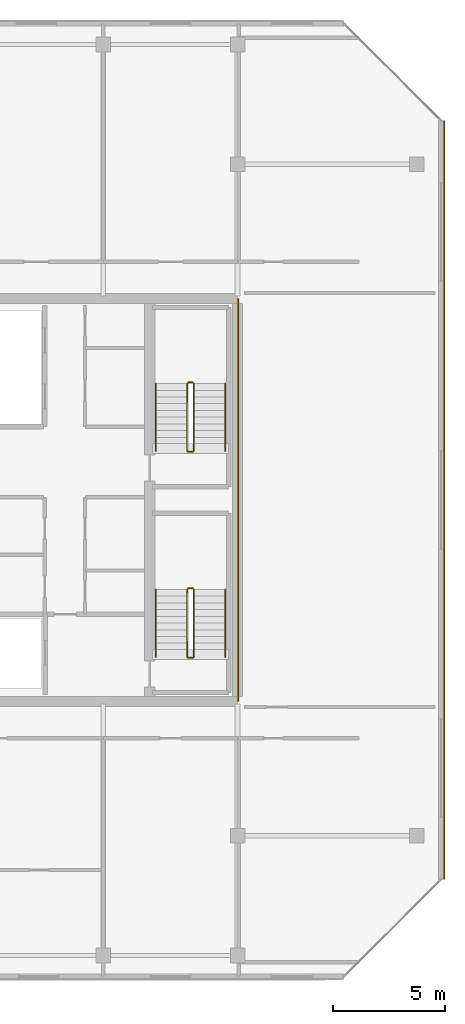
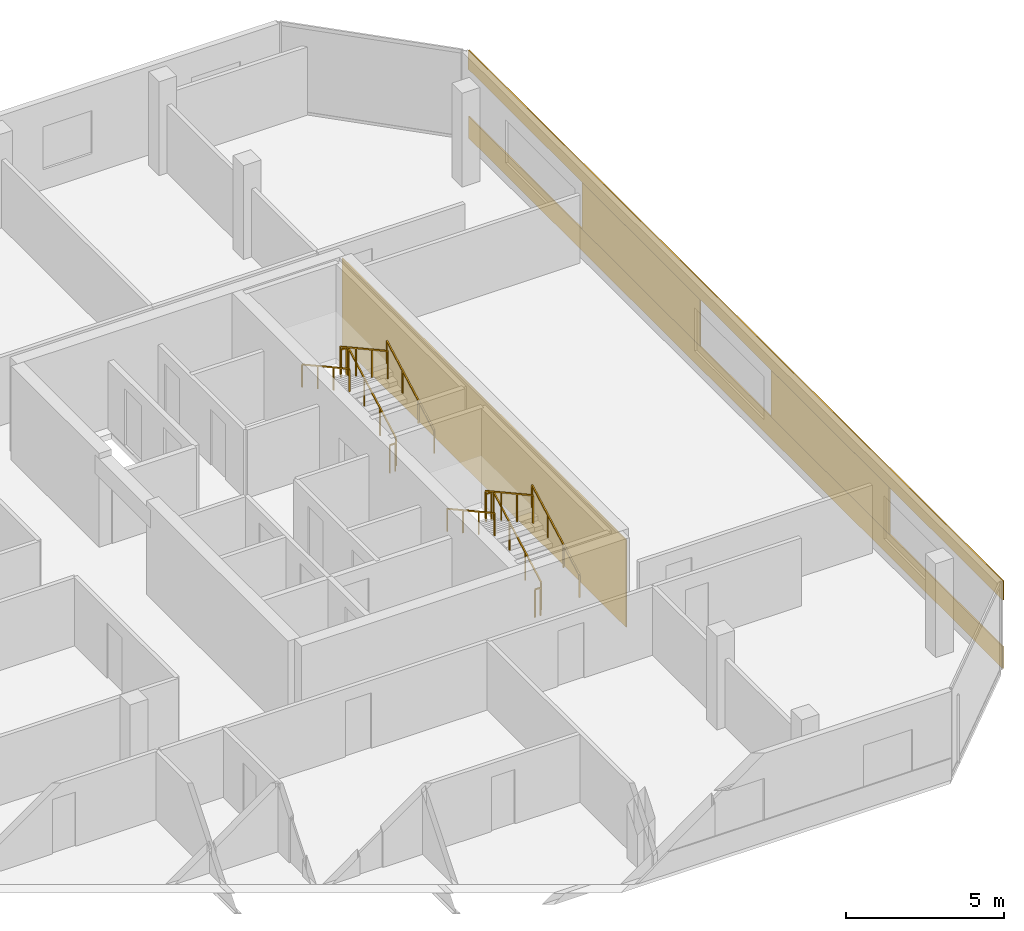
# One storey, part 28 of 28: 12 railings, 5 coverings.
"""IFC4 building model written with IfcOpenShell, lengths in metres."""

from ifc_helpers import new_model, si_unit, direction, frame, origin, origin_2d, place, context, subcontext, project, spatial, rectangle, extrude, material, layer, layer_set, type_object, element, save


model = new_model("IFC4")

# Units and contexts
model_context = context("Model", 3, precision=1e-05, world=origin(), true_north=direction((0.0, 1.0)))
body_context = subcontext(model_context, "Body", "Model", "MODEL_VIEW")
ifc_project = project(units=[si_unit("LENGTHUNIT", "METRE"), si_unit("AREAUNIT", "SQUARE_METRE"), si_unit("VOLUMEUNIT", "CUBIC_METRE"), si_unit("PLANEANGLEUNIT", "RADIAN"), si_unit("MASSUNIT", "GRAM", prefix="KILO")], contexts=[model_context])

# Site, building, storey
site_placement = place(None, origin())
site = spatial("IfcSite", under=ifc_project, at=site_placement, CompositionType="ELEMENT")
building_placement = place(site_placement, origin())
building = spatial("IfcBuilding", under=site, at=building_placement, Name="Tanjung Sevakor Pilgrim Tower", CompositionType="ELEMENT")
storey_placement = place(building_placement, frame((0.0, 0.0, 249.81005859375)))
storey = spatial("IfcBuildingStorey", under=building, at=storey_placement, Name="L70", CompositionType="ELEMENT", Elevation=249.81005859375)

# Coverings
ifc_material_1 = material(Name="Reconstructed Limestone Cladding", Category="masonry")
ifc_layer = layer(ifc_material_1, 0.044921875)
ifc_layer_set = layer_set([ifc_layer], Name="COV-CLAD-LIMESTONE")
covering_type = type_object("IfcCoveringType", Name="COV-CLAD-LIMESTONE", PredefinedType="CLADDING", material=ifc_layer_set)
covering_1_placement = place(storey_placement, frame((99.222412109375, 33.60009765625, 0.009765625), z_axis=(0.0, 0.0, 1.0), x_axis=(0.0, 1.0, 0.0)))
element("IfcCovering", 1, at=covering_1_placement, inside=storey, type_object=covering_type, Name="L70 Warm Limestone Sill Spandrel EW-L70-EAST-3-1", PredefinedType="CLADDING", context=body_context, shape_type="SweptSolid", body=[
    extrude(rectangle(XDim=33.828857421875, YDim=0.044921875, at=origin_2d()), origin(), (0.0, 0.0, 1.0), 0.840087890625),
])
covering_2_placement = place(storey_placement, frame((99.222412109375, 33.60009765625, 2.66015625), z_axis=(0.0, 0.0, 1.0), x_axis=(0.0, 1.0, 0.0)))
element("IfcCovering", 2, at=covering_2_placement, inside=storey, type_object=covering_type, Name="L70 Warm Limestone Cornice Spandrel EW-L70-EAST-3", PredefinedType="CLADDING", context=body_context, shape_type="SweptSolid", body=[
    extrude(rectangle(XDim=33.868896484375, YDim=0.044921875, at=origin_2d()), origin(), (0.0, 0.0, 1.0), 0.739990234375),
])
for number, where, z_axis, x_axis, name in (
    (3, (99.222412109375, 27.60888671875, 0.849853515625), (0.0, 0.0, 1.0), (0.0, 1.0, 0.0), "L70 Warm Limestone Pier Panel EW-L70-EAST-3-1"),
    (4, (99.222412109375, 39.591064453125, 0.849853515625), (0.0, 0.0, 1.0), (0.0, 1.0, 0.0), "L70 Warm Limestone Pier Panel EW-L70-EAST-3-2"),
):
    element("IfcCovering", number, at=place(storey_placement, frame(where, z_axis=z_axis, x_axis=x_axis)), inside=storey, type_object=covering_type, Name=name, PredefinedType="CLADDING", context=body_context, shape_type="SweptSolid", body=[
        extrude(rectangle(XDim=7.482177734375, YDim=0.044921875, at=origin_2d()), origin(), (0.0, 0.0, 1.0), 1.81005859375),
    ])
covering_3_placement = place(storey_placement, frame((90.0224609375, 33.60009765625, 0.019775390625), z_axis=(0.0, 0.0, 1.0), x_axis=(1.0, 0.0, 0.0)))
element("IfcCovering", 5, at=covering_3_placement, inside=storey, type_object=covering_type, Name="L70 Expressed Core Warm Limestone Cladding E", PredefinedType="CLADDING", context=body_context, shape_type="SweptSolid", body=[
    extrude(rectangle(XDim=0.044921875, YDim=18.0, at=origin_2d()), origin(), (0.0, 0.0, 1.0), 3.3701171875),
])

# Railings
ifc_material_2 = material(Name="Steel S355J2", Category="steel")
railing_type_1 = type_object("IfcRailingType", Name="RL-STAIR-GUARD", PredefinedType="GUARDRAIL", material=ifc_material_2)
railing_1_placement = place(storey_placement, frame((88.050048828125, 26.60009765625, 0.1650390625)))
element("IfcRailing", 6, at=railing_1_placement, inside=storey, type_object=railing_type_1, Name="L70 TS-E1 stair guard 1", PredefinedType="GUARDRAIL", context=body_context, shape_type="SweptSolid", body=[
    extrude(rectangle(XDim=0.0479, YDim=0.0479), frame((0.0, 0.0, 1.076171875), z_axis=(0.0, 0.876227952683, 0.48189685093), x_axis=(-1.0, 0.0, 0.0)), (0.0, 0.0, 1.0), 3.423828125),
    extrude(rectangle(XDim=0.042, YDim=0.042), origin(), (0.0, 0.0, 1.0), 1.052001953125),
    extrude(rectangle(XDim=0.042, YDim=0.042), frame((0.0, 1.0, 0.550048828125)), (0.0, 0.0, 1.0), 1.052001953125),
    extrude(rectangle(XDim=0.042, YDim=0.042), frame((0.0, 2.0, 1.099853515625)), (0.0, 0.0, 1.0), 1.052001953125),
    extrude(rectangle(XDim=0.042, YDim=0.042), frame((0.0, 3.0, 1.64990234375)), (0.0, 0.0, 1.0), 1.052001953125),
])
railing_2_placement = place(storey_placement, frame((88.0, 29.64990234375, 1.81494140625)))
element("IfcRailing", 7, at=railing_2_placement, inside=storey, type_object=railing_type_1, Name="L70 TS-E1 stair guard 2", PredefinedType="GUARDRAIL", context=body_context, shape_type="SweptSolid", body=[
    extrude(rectangle(XDim=0.0479, YDim=0.0479), frame((0.0, 0.0, 1.076171875), z_axis=(-1.0, 0.0, 0.0), x_axis=(0.0, -1.0, 0.0)), (0.0, 0.0, 1.0), 0.199951171875),
    extrude(rectangle(XDim=0.042, YDim=0.042), origin(), (0.0, 0.0, 1.0), 1.052001953125),
    extrude(rectangle(XDim=0.042, YDim=0.042), frame((-0.199951171875, 0.0, 0.0)), (0.0, 0.0, 1.0), 1.052001953125),
])
railing_3_placement = place(storey_placement, frame((87.75, 29.60009765625, 1.97998046875)))
element("IfcRailing", 8, at=railing_3_placement, inside=storey, type_object=railing_type_1, Name="L70 TS-E1 stair guard 3", PredefinedType="GUARDRAIL", context=body_context, shape_type="SweptSolid", body=[
    extrude(rectangle(XDim=0.0479, YDim=0.0479), frame((0.0, 0.0, 1.076171875), z_axis=(0.0, -0.876227952683, 0.48189685093), x_axis=(1.0, 0.0, 0.0)), (0.0, 0.0, 1.0), 3.423828125),
    extrude(rectangle(XDim=0.042, YDim=0.042), origin(), (0.0, 0.0, 1.0), 1.052001953125),
    extrude(rectangle(XDim=0.042, YDim=0.042), frame((0.0, -1.0, 0.550048828125)), (0.0, 0.0, 1.0), 1.052001953125),
    extrude(rectangle(XDim=0.042, YDim=0.042), frame((0.0, -2.0, 1.099853515625)), (0.0, 0.0, 1.0), 1.052001953125),
    extrude(rectangle(XDim=0.042, YDim=0.042), frame((0.0, -3.0, 1.64990234375)), (0.0, 0.0, 1.0), 1.052001953125),
])
railing_4_placement = place(storey_placement, frame((88.0, 26.550048828125, 0.0)))
element("IfcRailing", 9, at=railing_4_placement, inside=storey, type_object=railing_type_1, Name="L70 TS-E1 stair guard 4", PredefinedType="GUARDRAIL", context=body_context, shape_type="SweptSolid", body=[
    extrude(rectangle(XDim=0.0479, YDim=0.0479), frame((0.0, 0.0, 1.076171875), z_axis=(-1.0, 0.0, 0.0), x_axis=(0.0, -1.0, 0.0)), (0.0, 0.0, 1.0), 0.199951171875),
    extrude(rectangle(XDim=0.042, YDim=0.042), origin(), (0.0, 0.0, 1.0), 1.052001953125),
    extrude(rectangle(XDim=0.042, YDim=0.042), frame((-0.199951171875, 0.0, 0.0)), (0.0, 0.0, 1.0), 1.052001953125),
])
railing_5_placement = place(storey_placement, frame((88.050048828125, 35.800048828125, 0.1650390625)))
element("IfcRailing", 10, at=railing_5_placement, inside=storey, type_object=railing_type_1, Name="L70 TS-E2 stair guard 1", PredefinedType="GUARDRAIL", context=body_context, shape_type="SweptSolid", body=[
    extrude(rectangle(XDim=0.0479, YDim=0.0479), frame((0.0, 0.0, 1.076171875), z_axis=(0.0, 0.876227952683, 0.48189685093), x_axis=(-1.0, 0.0, 0.0)), (0.0, 0.0, 1.0), 3.423828125),
    extrude(rectangle(XDim=0.042, YDim=0.042), origin(), (0.0, 0.0, 1.0), 1.052001953125),
    extrude(rectangle(XDim=0.042, YDim=0.042), frame((0.0, 1.0, 0.550048828125)), (0.0, 0.0, 1.0), 1.052001953125),
    extrude(rectangle(XDim=0.042, YDim=0.042), frame((0.0, 2.0, 1.099853515625)), (0.0, 0.0, 1.0), 1.052001953125),
    extrude(rectangle(XDim=0.042, YDim=0.042), frame((0.0, 3.0, 1.64990234375)), (0.0, 0.0, 1.0), 1.052001953125),
])
railing_6_placement = place(storey_placement, frame((88.0, 38.85009765625, 1.81494140625)))
element("IfcRailing", 11, at=railing_6_placement, inside=storey, type_object=railing_type_1, Name="L70 TS-E2 stair guard 2", PredefinedType="GUARDRAIL", context=body_context, shape_type="SweptSolid", body=[
    extrude(rectangle(XDim=0.0479, YDim=0.0479), frame((0.0, 0.0, 1.076171875), z_axis=(-1.0, 0.0, 0.0), x_axis=(0.0, -1.0, 0.0)), (0.0, 0.0, 1.0), 0.199951171875),
    extrude(rectangle(XDim=0.042, YDim=0.042), origin(), (0.0, 0.0, 1.0), 1.052001953125),
    extrude(rectangle(XDim=0.042, YDim=0.042), frame((-0.199951171875, 0.0, 0.0)), (0.0, 0.0, 1.0), 1.052001953125),
])
railing_7_placement = place(storey_placement, frame((87.75, 38.800048828125, 1.97998046875)))
element("IfcRailing", 12, at=railing_7_placement, inside=storey, type_object=railing_type_1, Name="L70 TS-E2 stair guard 3", PredefinedType="GUARDRAIL", context=body_context, shape_type="SweptSolid", body=[
    extrude(rectangle(XDim=0.0479, YDim=0.0479), frame((0.0, 0.0, 1.076171875), z_axis=(0.0, -0.876227952683, 0.48189685093), x_axis=(1.0, 0.0, 0.0)), (0.0, 0.0, 1.0), 3.423828125),
    extrude(rectangle(XDim=0.042, YDim=0.042), origin(), (0.0, 0.0, 1.0), 1.052001953125),
    extrude(rectangle(XDim=0.042, YDim=0.042), frame((0.0, -1.0, 0.550048828125)), (0.0, 0.0, 1.0), 1.052001953125),
    extrude(rectangle(XDim=0.042, YDim=0.042), frame((0.0, -2.0, 1.099853515625)), (0.0, 0.0, 1.0), 1.052001953125),
    extrude(rectangle(XDim=0.042, YDim=0.042), frame((0.0, -3.0, 1.64990234375)), (0.0, 0.0, 1.0), 1.052001953125),
])
railing_8_placement = place(storey_placement, frame((88.0, 35.75, 0.0)))
element("IfcRailing", 13, at=railing_8_placement, inside=storey, type_object=railing_type_1, Name="L70 TS-E2 stair guard 4", PredefinedType="GUARDRAIL", context=body_context, shape_type="SweptSolid", body=[
    extrude(rectangle(XDim=0.0479, YDim=0.0479), frame((0.0, 0.0, 1.076171875), z_axis=(-1.0, 0.0, 0.0), x_axis=(0.0, -1.0, 0.0)), (0.0, 0.0, 1.0), 0.199951171875),
    extrude(rectangle(XDim=0.042, YDim=0.042), origin(), (0.0, 0.0, 1.0), 1.052001953125),
    extrude(rectangle(XDim=0.042, YDim=0.042), frame((-0.199951171875, 0.0, 0.0)), (0.0, 0.0, 1.0), 1.052001953125),
])
ifc_material_3 = material(Name="Steel S355J2", Category="steel")
railing_type_2 = type_object("IfcRailingType", Name="RL-STAIR-HAND", PredefinedType="HANDRAIL", material=ifc_material_3)
railing_9_placement = place(storey_placement, frame((89.449951171875, 26.60009765625, 0.1650390625)))
element("IfcRailing", 14, at=railing_9_placement, inside=storey, type_object=railing_type_2, Name="L70 TS-E1 stair handrail 1", PredefinedType="HANDRAIL", context=body_context, shape_type="SweptSolid", body=[
    extrude(rectangle(XDim=0.0479, YDim=0.0479), frame((0.0, 0.0, 0.8759765625), z_axis=(0.0, 0.876227952683, 0.48189685093), x_axis=(-1.0, 0.0, 0.0)), (0.0, 0.0, 1.0), 3.423828125),
    extrude(rectangle(XDim=0.042, YDim=0.042), origin(), (0.0, 0.0, 1.0), 0.851806640625),
    extrude(rectangle(XDim=0.042, YDim=0.042), frame((0.0, 1.0, 0.550048828125)), (0.0, 0.0, 1.0), 0.851806640625),
    extrude(rectangle(XDim=0.042, YDim=0.042), frame((0.0, 2.0, 1.099853515625)), (0.0, 0.0, 1.0), 0.851806640625),
    extrude(rectangle(XDim=0.042, YDim=0.042), frame((0.0, 3.0, 1.64990234375)), (0.0, 0.0, 1.0), 0.851806640625),
])
railing_10_placement = place(storey_placement, frame((86.35009765625, 29.60009765625, 1.97998046875)))
element("IfcRailing", 15, at=railing_10_placement, inside=storey, type_object=railing_type_2, Name="L70 TS-E1 stair handrail 2", PredefinedType="HANDRAIL", context=body_context, shape_type="SweptSolid", body=[
    extrude(rectangle(XDim=0.0479, YDim=0.0479), frame((0.0, 0.0, 0.8759765625), z_axis=(0.0, -0.876227952683, 0.48189685093), x_axis=(1.0, 0.0, 0.0)), (0.0, 0.0, 1.0), 3.423828125),
    extrude(rectangle(XDim=0.042, YDim=0.042), origin(), (0.0, 0.0, 1.0), 0.851806640625),
    extrude(rectangle(XDim=0.042, YDim=0.042), frame((0.0, -1.0, 0.550048828125)), (0.0, 0.0, 1.0), 0.851806640625),
    extrude(rectangle(XDim=0.042, YDim=0.042), frame((0.0, -2.0, 1.099853515625)), (0.0, 0.0, 1.0), 0.851806640625),
    extrude(rectangle(XDim=0.042, YDim=0.042), frame((0.0, -3.0, 1.64990234375)), (0.0, 0.0, 1.0), 0.851806640625),
])
railing_11_placement = place(storey_placement, frame((89.449951171875, 35.800048828125, 0.1650390625)))
element("IfcRailing", 16, at=railing_11_placement, inside=storey, type_object=railing_type_2, Name="L70 TS-E2 stair handrail 1", PredefinedType="HANDRAIL", context=body_context, shape_type="SweptSolid", body=[
    extrude(rectangle(XDim=0.0479, YDim=0.0479), frame((0.0, 0.0, 0.8759765625), z_axis=(0.0, 0.876227952683, 0.48189685093), x_axis=(-1.0, 0.0, 0.0)), (0.0, 0.0, 1.0), 3.423828125),
    extrude(rectangle(XDim=0.042, YDim=0.042), origin(), (0.0, 0.0, 1.0), 0.851806640625),
    extrude(rectangle(XDim=0.042, YDim=0.042), frame((0.0, 1.0, 0.550048828125)), (0.0, 0.0, 1.0), 0.851806640625),
    extrude(rectangle(XDim=0.042, YDim=0.042), frame((0.0, 2.0, 1.099853515625)), (0.0, 0.0, 1.0), 0.851806640625),
    extrude(rectangle(XDim=0.042, YDim=0.042), frame((0.0, 3.0, 1.64990234375)), (0.0, 0.0, 1.0), 0.851806640625),
])
railing_12_placement = place(storey_placement, frame((86.35009765625, 38.800048828125, 1.97998046875)))
element("IfcRailing", 17, at=railing_12_placement, inside=storey, type_object=railing_type_2, Name="L70 TS-E2 stair handrail 2", PredefinedType="HANDRAIL", context=body_context, shape_type="SweptSolid", body=[
    extrude(rectangle(XDim=0.0479, YDim=0.0479), frame((0.0, 0.0, 0.8759765625), z_axis=(0.0, -0.876227952683, 0.48189685093), x_axis=(1.0, 0.0, 0.0)), (0.0, 0.0, 1.0), 3.423828125),
    extrude(rectangle(XDim=0.042, YDim=0.042), origin(), (0.0, 0.0, 1.0), 0.851806640625),
    extrude(rectangle(XDim=0.042, YDim=0.042), frame((0.0, -1.0, 0.550048828125)), (0.0, 0.0, 1.0), 0.851806640625),
    extrude(rectangle(XDim=0.042, YDim=0.042), frame((0.0, -2.0, 1.099853515625)), (0.0, 0.0, 1.0), 0.851806640625),
    extrude(rectangle(XDim=0.042, YDim=0.042), frame((0.0, -3.0, 1.64990234375)), (0.0, 0.0, 1.0), 0.851806640625),
])

save(model, "model.ifc")
